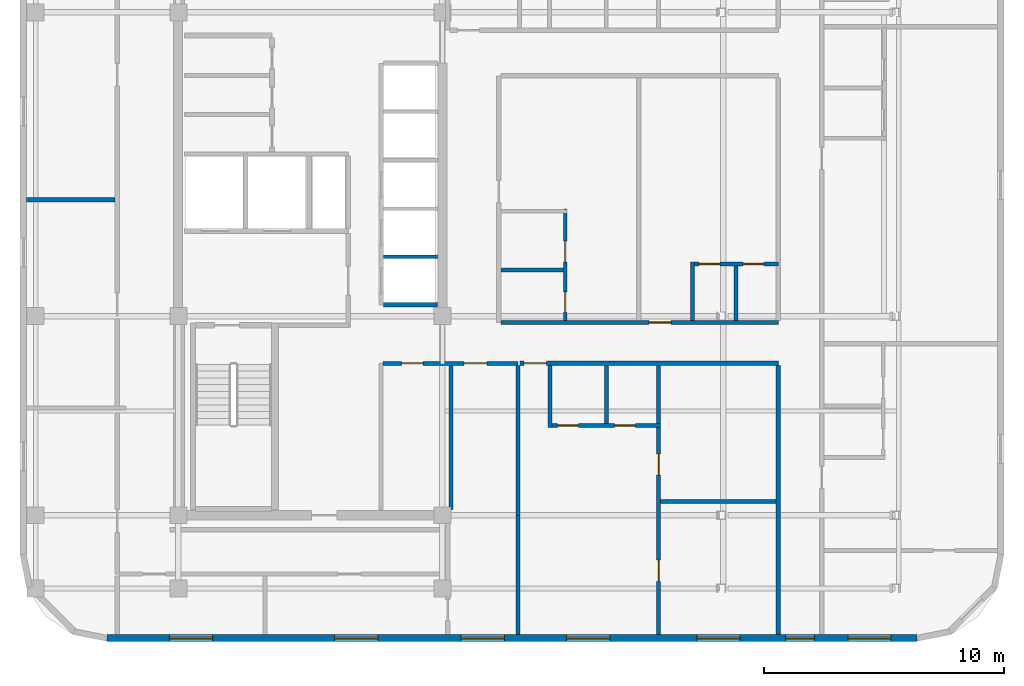
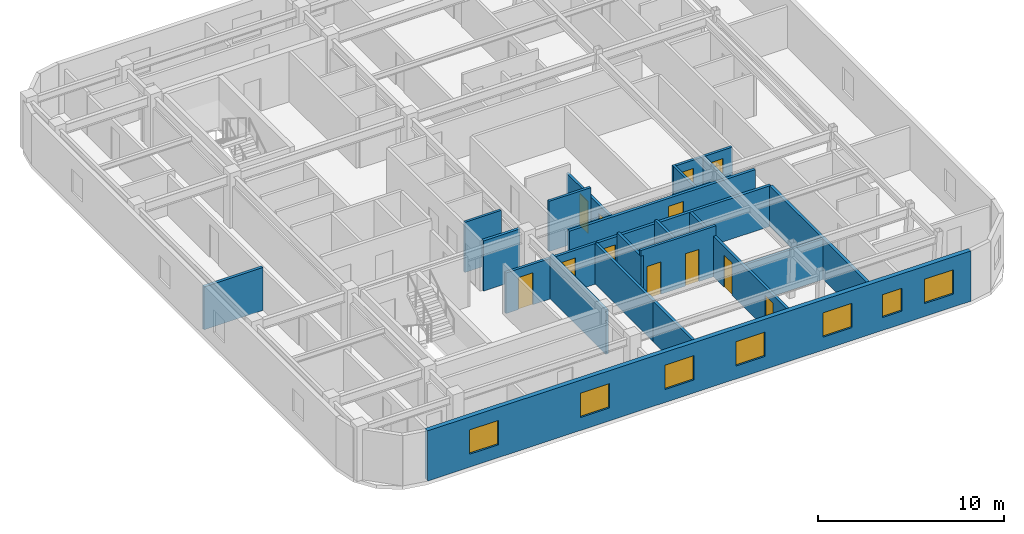
# One storey, part 3 of 8: 21 walls, 12 doors, 7 windows, 19 openings.
"""IFC4 building model written with IfcOpenShell, lengths in metres."""

import ifcopenshell
import ifcopenshell.guid

model = None  # the IFC model being written
_history = None  # IfcOwnerHistory: only IFC2X3 demands one
_inside = {}  # id of a spatial element -> (the spatial element, [elements in it])
_under = {}  # id of a project, library or spatial element -> (it, [spatial elements below it])
_declared = {}  # id of a project -> (the project, [libraries it declares])
_typed = {}  # id of a type object -> (the type object, [elements of that type])
_made_of = {}  # id of a material, layer set ... -> (it, [elements and type objects made of it])


def new_model(schema):
    """Start an empty IFC model of exactly this schema.

    Asked for "IFC4X3", IfcOpenShell would pick the latest addendum, in which some entities
    have other attributes; the version numbers below select the first issue.
    IFC2X3 requires an IfcOwnerHistory on every rooted entity: one is made here for all.
    """
    global model, _history
    if schema == "IFC4X3":
        model = ifcopenshell.file(schema_version=(4, 3, 0, 0))
    else:
        model = ifcopenshell.file(schema=schema)
    _inside.clear()
    _under.clear()
    _declared.clear()
    _typed.clear()
    _made_of.clear()
    _history = None
    if model.schema == "IFC2X3":
        org = make("IfcOrganization", Name="unknown")
        user = make(
            "IfcPersonAndOrganization",
            ThePerson=make("IfcPerson", FamilyName="unknown"),
            TheOrganization=org,
        )
        app = make(
            "IfcApplication",
            ApplicationDeveloper=org,
            Version="unknown",
            ApplicationFullName="unknown",
            ApplicationIdentifier="unknown",
        )
        _history = make(
            "IfcOwnerHistory",
            OwningUser=user,
            OwningApplication=app,
            ChangeAction="ADDED",
            CreationDate=0,
        )
    return model


def make(cls, **values):
    """One entity of the class cls with the attributes given. An attribute that is None is left unset."""
    return model.create_entity(
        cls, **{name: value for name, value in values.items() if value is not None}
    )


def rooted(cls, **values):
    """An entity with a GlobalId (a new one), such as an element, a storey or a relation."""
    return make(cls, GlobalId=ifcopenshell.guid.new(), OwnerHistory=_history, **values)


def si_unit(unit_type, name, prefix=None):
    """IfcSIUnit, for example si_unit("LENGTHUNIT", "METRE", prefix="MILLI")."""
    return make("IfcSIUnit", UnitType=unit_type, Prefix=prefix, Name=name)


def assignment(units):
    """IfcUnitAssignment: the units of a project."""
    return None if units is None else make("IfcUnitAssignment", Units=units)


def point(xyz):
    """IfcCartesianPoint."""
    return None if xyz is None else make("IfcCartesianPoint", Coordinates=xyz)


def direction(xyz):
    """IfcDirection."""
    return None if xyz is None else make("IfcDirection", DirectionRatios=xyz)


def frame(location, z_axis=None, x_axis=None):
    """IfcAxis2Placement3D, a coordinate frame: its origin and axes. An axis left out is left unset."""
    return make(
        "IfcAxis2Placement3D",
        Location=point(location),
        Axis=direction(z_axis),
        RefDirection=direction(x_axis),
    )


def frame_2d(location, x_axis=None):
    """IfcAxis2Placement2D, a coordinate frame in the plane: its origin and x axis."""
    return make(
        "IfcAxis2Placement2D", Location=point(location), RefDirection=direction(x_axis)
    )


def origin():
    """The frame at (0, 0, 0) with its axes left unset."""
    return frame((0.0, 0.0, 0.0))


def place(relative_to, where):
    """IfcLocalPlacement: puts the frame where relative to a parent placement (None: the world)."""
    return make(
        "IfcLocalPlacement", PlacementRelTo=relative_to, RelativePlacement=where
    )


def context(
    kind, dimensions, precision=None, world=None, true_north=None, identifier=None
):
    """IfcGeometricRepresentationContext, for example the 3D "Model" context."""
    return make(
        "IfcGeometricRepresentationContext",
        ContextIdentifier=identifier,
        ContextType=kind,
        CoordinateSpaceDimension=dimensions,
        Precision=precision,
        WorldCoordinateSystem=world,
        TrueNorth=true_north,
    )


def subcontext(parent, identifier, kind, view, scale=None):
    """IfcGeometricRepresentationSubContext, for example "Body" below "Model"."""
    return make(
        "IfcGeometricRepresentationSubContext",
        ContextIdentifier=identifier,
        ContextType=kind,
        ParentContext=parent,
        TargetScale=scale,
        TargetView=view,
    )


def project(units=None, contexts=None):
    """IfcProject with its units and contexts."""
    return rooted(
        "IfcProject",
        Name="project",
        RepresentationContexts=contexts,
        UnitsInContext=assignment(units),
    )


def spatial(cls, under=None, at=None, **own):
    """A site, building, storey or space (cls), placed at a placement, below another one or the project."""
    s = rooted(cls, ObjectPlacement=at, **own)
    if under is not None:
        _under.setdefault(under.id(), (under, []))[1].append(s)
    return s


def profile(cls, at=None, kind="AREA", **sizes):
    """A parametric profile (cls). Its sizes go by their IFC names, for example OverallWidth=200.0."""
    return make(cls, ProfileType=kind, Position=at, **sizes)


def rectangle(**sizes):
    """IfcRectangleProfileDef."""
    return profile("IfcRectangleProfileDef", **sizes)


def extrude(swept, where, along, depth):
    """IfcExtrudedAreaSolid: the profile swept, set in the frame where, extruded along a direction by depth."""
    return make(
        "IfcExtrudedAreaSolid",
        SweptArea=swept,
        Position=where,
        ExtrudedDirection=direction(along),
        Depth=depth,
    )


def shape(context_of_items, identifier, shape_type, items):
    """IfcShapeRepresentation: the items that make up one representation, for example the "Body"."""
    return make(
        "IfcShapeRepresentation",
        ContextOfItems=context_of_items,
        RepresentationIdentifier=identifier,
        RepresentationType=shape_type,
        Items=items,
    )


def material(Name=None, Category=None):
    """IfcMaterial."""
    return make("IfcMaterial", Name=Name, Category=Category)


def layer(
    of_material, thickness, ventilated=None, Name=None, Category=None, Priority=None
):
    """IfcMaterialLayer: one layer of a wall or slab, of a material (None: an air gap)."""
    return make(
        "IfcMaterialLayer",
        Material=of_material,
        LayerThickness=thickness,
        IsVentilated=ventilated,
        Name=Name,
        Category=Category,
        Priority=Priority,
    )


def layer_set(layers, Name=None):
    """IfcMaterialLayerSet."""
    return make("IfcMaterialLayerSet", MaterialLayers=layers, LayerSetName=Name)


def made_of(thing, what):
    """Note that an element or type object is made of a material, layer set ...; save() writes the relation."""
    if what is not None:
        _made_of.setdefault(what.id(), (what, []))[1].append(thing)
    return thing


def type_object(cls, material=None, **own):
    """A type object (cls), such as IfcWallType, which elements share."""
    return made_of(rooted(cls, **own), material)


def element(
    cls,
    number,
    at=None,
    inside=None,
    cuts=None,
    type_object=None,
    material=None,
    context=None,
    identifier="Body",
    shape_type=None,
    held_by="IfcProductDefinitionShape",
    body=None,
    shapes=None,
    **own,
):
    """One element of the class cls, such as IfcWall. Its Tag is "e" and its number.

    at: its placement. inside: the storey or other place that contains it. cuts: it is an
    opening in that element (IfcRelVoidsElement). A single representation is given by context,
    identifier, shape_type and body (its items); several are given by shapes. held_by: the class
    of the entity that holds the representations. save() writes the other relations.
    """
    e = rooted(cls, Tag="e%d" % number, ObjectPlacement=at, **own)
    if body is not None:
        shapes = [shape(context, identifier, shape_type, body)]
    if shapes is not None:
        e.Representation = make(held_by, Representations=shapes)
    if inside is not None:
        _inside.setdefault(inside.id(), (inside, []))[1].append(e)
    if cuts is not None:
        rooted(
            "IfcRelVoidsElement", RelatingBuildingElement=cuts, RelatedOpeningElement=e
        )
    if type_object is not None:
        _typed.setdefault(type_object.id(), (type_object, []))[1].append(e)
    return made_of(e, material)


def fill(opening, filler):
    """IfcRelFillsElement: the door or window that sits in an opening."""
    return rooted(
        "IfcRelFillsElement",
        RelatingOpeningElement=opening,
        RelatedBuildingElement=filler,
    )


def aggregate(whole, parts):
    """IfcRelAggregates: a whole, such as a stair, and the parts it consists of."""
    return rooted("IfcRelAggregates", RelatingObject=whole, RelatedObjects=parts)


def save(model, path):
    """Write the relations noted so far, then the file.

    IfcRelAggregates (storeys below a building ...), IfcRelContainedInSpatialStructure (elements
    in a storey), IfcRelDefinesByType, IfcRelAssociatesMaterial and IfcRelDeclares: one each for
    every whole, place, type object, material and project.
    """
    for whole, parts in _under.values():
        aggregate(whole, parts)
    for where, things in _inside.values():
        rooted(
            "IfcRelContainedInSpatialStructure",
            RelatedElements=things,
            RelatingStructure=where,
        )
    for kind, things in _typed.values():
        rooted("IfcRelDefinesByType", RelatedObjects=things, RelatingType=kind)
    for what, things in _made_of.values():
        rooted("IfcRelAssociatesMaterial", RelatedObjects=things, RelatingMaterial=what)
    for by, libraries in _declared.values():
        rooted("IfcRelDeclares", RelatingContext=by, RelatedDefinitions=libraries)
    model.write(path)


model = new_model("IFC4")

# Units and contexts
model_context = context("Model", 3, precision=1e-05, world=origin(), true_north=direction((0.0, 1.0)))
body_context = subcontext(model_context, "Body", "Model", "MODEL_VIEW")
ifc_project = project(units=[si_unit("LENGTHUNIT", "METRE"), si_unit("AREAUNIT", "SQUARE_METRE"), si_unit("VOLUMEUNIT", "CUBIC_METRE"), si_unit("PLANEANGLEUNIT", "RADIAN"), si_unit("MASSUNIT", "GRAM", prefix="KILO")], contexts=[model_context])

# Site, building, storey
site_placement = place(None, origin())
site = spatial("IfcSite", under=ifc_project, at=site_placement, CompositionType="ELEMENT")
building_placement = place(site_placement, origin())
building = spatial("IfcBuilding", under=site, at=building_placement, Name="Ochreholt Gables", CompositionType="ELEMENT")
storey_placement = place(building_placement, frame((0.0, 0.0, 196.199951171875)))
storey = spatial("IfcBuildingStorey", under=building, at=storey_placement, Name="L51", CompositionType="ELEMENT", Elevation=196.199951171875)

# Wall, openings, windows
ifc_material_1 = material(Name="Precast concrete 40 MPa", Category="concrete")
ifc_layer_1 = layer(ifc_material_1, 0.280029296875, Name="Precast concrete 40 MPa")
ifc_layer_set_1 = layer_set([ifc_layer_1], Name="Precast concrete 40 MPa")
wall_type_1 = type_object("IfcWallType", Name="WALL-EXT-280", PredefinedType="SOLIDWALL", material=ifc_layer_set_1)
wall_1_placement = place(storey_placement, frame((21.219970703125, 4.139892578125, 0.0), z_axis=(0.0, 0.0, 1.0), x_axis=(1.0, 0.0, 0.0)))
wall_1 = element("IfcWall", 1, at=wall_1_placement, inside=storey, type_object=wall_type_1, Name="L51 South Exterior Wall", PredefinedType="SOLIDWALL", context=body_context, shape_type="SweptSolid", body=[
    extrude(rectangle(XDim=33.760009765625, YDim=0.280029296875, at=frame_2d((16.8798828125, 0.0))), origin(), (0.0, 0.0, 1.0), 3.300048828125),
])
opening_1_placement = place(wall_1_placement, frame((2.60498046875, 0.0, 0.85009765625)))
opening_1 = element("IfcOpeningElement", 2, at=opening_1_placement, cuts=wall_1, Name="Opening WN-1", PredefinedType="OPENING", context=body_context, shape_type="SweptSolid", body=[
    extrude(rectangle(XDim=1.800048828125, YDim=1.60009765625, at=frame_2d((0.89990234375, 0.800048828125))), frame((0.0, 0.14990234375, 0.0), z_axis=(0.0, -1.0, 0.0), x_axis=(1.0, 0.0, 0.0)), (0.0, 0.0, 1.0), 0.300048828125),
])
opening_2_placement = place(wall_1_placement, frame((9.489990234375, 0.0, 0.85009765625)))
opening_2 = element("IfcOpeningElement", 3, at=opening_2_placement, cuts=wall_1, Name="Opening WN-1", PredefinedType="OPENING", context=body_context, shape_type="SweptSolid", body=[
    extrude(rectangle(XDim=1.800048828125, YDim=1.60009765625, at=frame_2d((0.89990234375, 0.800048828125))), frame((0.0, 0.14990234375, 0.0), z_axis=(0.0, -1.0, 0.0), x_axis=(1.0, 0.0, 0.0)), (0.0, 0.0, 1.0), 0.300048828125),
])
opening_3_placement = place(wall_1_placement, frame((14.764892578125, 0.0, 0.85009765625)))
opening_3 = element("IfcOpeningElement", 4, at=opening_3_placement, cuts=wall_1, Name="Opening WN-1", PredefinedType="OPENING", context=body_context, shape_type="SweptSolid", body=[
    extrude(rectangle(XDim=1.800048828125, YDim=1.60009765625, at=frame_2d((0.89990234375, 0.800048828125))), frame((0.0, 0.14990234375, 0.0), z_axis=(0.0, -1.0, 0.0), x_axis=(1.0, 0.0, 0.0)), (0.0, 0.0, 1.0), 0.300048828125),
])
opening_4_placement = place(wall_1_placement, frame((19.159912109375, 0.0, 0.85009765625)))
opening_4 = element("IfcOpeningElement", 5, at=opening_4_placement, cuts=wall_1, Name="Opening WN-1", PredefinedType="OPENING", context=body_context, shape_type="SweptSolid", body=[
    extrude(rectangle(XDim=1.800048828125, YDim=1.60009765625, at=frame_2d((0.89990234375, 0.800048828125))), frame((0.0, 0.14990234375, 0.0), z_axis=(0.0, -1.0, 0.0), x_axis=(1.0, 0.0, 0.0)), (0.0, 0.0, 1.0), 0.300048828125),
])
opening_5_placement = place(wall_1_placement, frame((24.5849609375, 0.0, 0.85009765625)))
opening_5 = element("IfcOpeningElement", 6, at=opening_5_placement, cuts=wall_1, Name="Opening WN-1", PredefinedType="OPENING", context=body_context, shape_type="SweptSolid", body=[
    extrude(rectangle(XDim=1.800048828125, YDim=1.60009765625, at=frame_2d((0.89990234375, 0.800048828125))), frame((0.0, 0.14990234375, 0.0), z_axis=(0.0, -1.0, 0.0), x_axis=(1.0, 0.0, 0.0)), (0.0, 0.0, 1.0), 0.300048828125),
])
opening_6_placement = place(wall_1_placement, frame((28.280029296875, 0.0, 0.85009765625)))
opening_6 = element("IfcOpeningElement", 7, at=opening_6_placement, cuts=wall_1, Name="Opening WN-3", PredefinedType="OPENING", context=body_context, shape_type="SweptSolid", body=[
    extrude(rectangle(XDim=1.199951171875, YDim=1.5, at=frame_2d((0.60009765625, 0.75))), frame((0.0, 0.14990234375, 0.0), z_axis=(0.0, -1.0, 0.0), x_axis=(1.0, 0.0, 0.0)), (0.0, 0.0, 1.0), 0.300048828125),
])
opening_7_placement = place(wall_1_placement, frame((30.8701171875, 0.0, 0.85009765625)))
opening_7 = element("IfcOpeningElement", 8, at=opening_7_placement, cuts=wall_1, Name="Opening WN-1", PredefinedType="OPENING", context=body_context, shape_type="SweptSolid", body=[
    extrude(rectangle(XDim=1.800048828125, YDim=1.60009765625, at=frame_2d((0.89990234375, 0.800048828125))), frame((0.0, 0.14990234375, 0.0), z_axis=(0.0, -1.0, 0.0), x_axis=(1.0, 0.0, 0.0)), (0.0, 0.0, 1.0), 0.300048828125),
])
ifc_material_2 = material(Name="Triple-Glazed Thermally Broken Aluminium Window", Category="aluminium")
window_type_1 = type_object("IfcWindowType", Name="WIN-RES-1200", PartitioningType="SINGLE_PANEL", PredefinedType="WINDOW", material=ifc_material_2)
window_1_placement = place(opening_6_placement, origin())
window_1 = element("IfcWindow", 9, at=window_1_placement, inside=storey, type_object=window_type_1, Name="L51 Window W-EXT-S-L51-6", OverallHeight=1.5, OverallWidth=1.199951171875, PartitioningType="SINGLE_PANEL", PredefinedType="WINDOW", context=body_context, shape_type="SweptSolid", body=[
    extrude(rectangle(XDim=1.199951171875, YDim=1.5, at=frame_2d((0.60009765625, 0.75))), frame((0.0, 0.030029296875, 0.0), z_axis=(0.0, -1.0, 0.0), x_axis=(1.0, 0.0, 0.0)), (0.0, 0.0, 1.0), 0.06005859375),
])
fill(opening_6, window_1)
window_type_2 = type_object("IfcWindowType", Name="WIN-RES-1800", PartitioningType="SINGLE_PANEL", PredefinedType="WINDOW", material=ifc_material_2)
window_2_placement = place(opening_1_placement, origin())
window_2 = element("IfcWindow", 10, at=window_2_placement, inside=storey, type_object=window_type_2, Name="L51 Window W-EXT-S-L51-1", OverallHeight=1.60009765625, OverallWidth=1.800048828125, PartitioningType="SINGLE_PANEL", PredefinedType="WINDOW", context=body_context, shape_type="SweptSolid", body=[
    extrude(rectangle(XDim=1.800048828125, YDim=1.60009765625, at=frame_2d((0.89990234375, 0.800048828125))), frame((0.0, 0.030029296875, 0.0), z_axis=(0.0, -1.0, 0.0), x_axis=(1.0, 0.0, 0.0)), (0.0, 0.0, 1.0), 0.06005859375),
])
fill(opening_1, window_2)
window_3_placement = place(opening_2_placement, origin())
window_3 = element("IfcWindow", 11, at=window_3_placement, inside=storey, type_object=window_type_2, Name="L51 Window W-EXT-S-L51-2", OverallHeight=1.60009765625, OverallWidth=1.800048828125, PartitioningType="SINGLE_PANEL", PredefinedType="WINDOW", context=body_context, shape_type="SweptSolid", body=[
    extrude(rectangle(XDim=1.800048828125, YDim=1.60009765625, at=frame_2d((0.89990234375, 0.800048828125))), frame((0.0, 0.030029296875, 0.0), z_axis=(0.0, -1.0, 0.0), x_axis=(1.0, 0.0, 0.0)), (0.0, 0.0, 1.0), 0.06005859375),
])
fill(opening_2, window_3)
window_4_placement = place(opening_3_placement, origin())
window_4 = element("IfcWindow", 12, at=window_4_placement, inside=storey, type_object=window_type_2, Name="L51 Window W-EXT-S-L51-3", OverallHeight=1.60009765625, OverallWidth=1.800048828125, PartitioningType="SINGLE_PANEL", PredefinedType="WINDOW", context=body_context, shape_type="SweptSolid", body=[
    extrude(rectangle(XDim=1.800048828125, YDim=1.60009765625, at=frame_2d((0.89990234375, 0.800048828125))), frame((0.0, 0.030029296875, 0.0), z_axis=(0.0, -1.0, 0.0), x_axis=(1.0, 0.0, 0.0)), (0.0, 0.0, 1.0), 0.06005859375),
])
fill(opening_3, window_4)
window_5_placement = place(opening_4_placement, origin())
window_5 = element("IfcWindow", 13, at=window_5_placement, inside=storey, type_object=window_type_2, Name="L51 Window W-EXT-S-L51-4", OverallHeight=1.60009765625, OverallWidth=1.800048828125, PartitioningType="SINGLE_PANEL", PredefinedType="WINDOW", context=body_context, shape_type="SweptSolid", body=[
    extrude(rectangle(XDim=1.800048828125, YDim=1.60009765625, at=frame_2d((0.89990234375, 0.800048828125))), frame((0.0, 0.030029296875, 0.0), z_axis=(0.0, -1.0, 0.0), x_axis=(1.0, 0.0, 0.0)), (0.0, 0.0, 1.0), 0.06005859375),
])
fill(opening_4, window_5)
window_6_placement = place(opening_5_placement, origin())
window_6 = element("IfcWindow", 14, at=window_6_placement, inside=storey, type_object=window_type_2, Name="L51 Window W-EXT-S-L51-5", OverallHeight=1.60009765625, OverallWidth=1.800048828125, PartitioningType="SINGLE_PANEL", PredefinedType="WINDOW", context=body_context, shape_type="SweptSolid", body=[
    extrude(rectangle(XDim=1.800048828125, YDim=1.60009765625, at=frame_2d((0.89990234375, 0.800048828125))), frame((0.0, 0.030029296875, 0.0), z_axis=(0.0, -1.0, 0.0), x_axis=(1.0, 0.0, 0.0)), (0.0, 0.0, 1.0), 0.06005859375),
])
fill(opening_5, window_6)
window_7_placement = place(opening_7_placement, origin())
window_7 = element("IfcWindow", 15, at=window_7_placement, inside=storey, type_object=window_type_2, Name="L51 Window W-EXT-S-L51-7", OverallHeight=1.60009765625, OverallWidth=1.800048828125, PartitioningType="SINGLE_PANEL", PredefinedType="WINDOW", context=body_context, shape_type="SweptSolid", body=[
    extrude(rectangle(XDim=1.800048828125, YDim=1.60009765625, at=frame_2d((0.89990234375, 0.800048828125))), frame((0.0, 0.030029296875, 0.0), z_axis=(0.0, -1.0, 0.0), x_axis=(1.0, 0.0, 0.0)), (0.0, 0.0, 1.0), 0.06005859375),
])
fill(opening_7, window_7)

# Wall, opening, door
ifc_material_3 = material(Name="Fire-Rated Gypsum Acoustic Partition", Category="gypsum")
ifc_layer_2 = layer(ifc_material_3, 0.179931640625, Name="Fire-Rated Gypsum Acoustic Partition")
ifc_layer_set_2 = layer_set([ifc_layer_2], Name="Fire-Rated Gypsum Acoustic Partition")
wall_type_2 = type_object("IfcWallType", Name="WALL-INT-CR180", PredefinedType="STANDARD", material=ifc_layer_set_2)
wall_2_placement = place(storey_placement, frame((38.4326171875, 15.580078125, 0.0), z_axis=(0.0, 0.0, 1.0), x_axis=(1.0, 0.0, 0.0)))
wall_2 = element("IfcWall", 16, at=wall_2_placement, inside=storey, type_object=wall_type_2, Name="L51 Interior Wall WI-C2SS1-L51", PredefinedType="STANDARD", context=body_context, shape_type="SweptSolid", body=[
    extrude(rectangle(XDim=10.767333984375, YDim=0.179931640625, at=frame_2d((5.3837890625, 0.0))), origin(), (0.0, 0.0, 1.0), 2.670166015625),
])
opening_8_placement = place(wall_2_placement, frame((0.177490234375, 0.0, 0.0)))
opening_8 = element("IfcOpeningElement", 17, at=opening_8_placement, cuts=wall_2, Name="Opening D-UN1", PredefinedType="OPENING", context=body_context, shape_type="SweptSolid", body=[
    extrude(rectangle(XDim=0.919921875, YDim=2.14990234375, at=frame_2d((0.4599609375, 1.074951171875))), frame((0.0, 0.099853515625, 0.0), z_axis=(0.0, -1.0, 0.0), x_axis=(1.0, 0.0, 0.0)), (0.0, 0.0, 1.0), 0.199951171875),
])
ifc_material_4 = material(Name="Engineered Oak Timber", Category="wood")
door_type_1 = type_object("IfcDoorType", Name="DR-INT-UNT920", OperationType="NOTDEFINED", PredefinedType="DOOR", material=ifc_material_4)
door_1_placement = place(opening_8_placement, origin())
door_1 = element("IfcDoor", 18, at=door_1_placement, inside=storey, type_object=door_type_1, Name="L51 Door D-U-L51S1-ENT", OperationType="SINGLE_SWING_RIGHT", OverallHeight=2.14990234375, OverallWidth=0.919921875, PredefinedType="DOOR", context=body_context, shape_type="SweptSolid", body=[
    extrude(rectangle(XDim=0.919921875, YDim=2.14990234375, at=frame_2d((0.4599609375, 1.074951171875))), frame((0.0, 0.02490234375, 0.0), z_axis=(0.0, -1.0, 0.0), x_axis=(1.0, 0.0, 0.0)), (0.0, 0.0, 1.0), 0.050048828125),
])
fill(opening_8, door_1)

wall_3_placement = place(storey_placement, frame((37.639892578125, 17.280029296875, 0.0), z_axis=(0.0, 0.0, 1.0), x_axis=(1.0, 0.0, 0.0)))
wall_3 = element("IfcWall", 19, at=wall_3_placement, inside=storey, type_object=wall_type_2, Name="L51 Interior Wall WI-C2SS2-L51", PredefinedType="STANDARD", context=body_context, shape_type="SweptSolid", body=[
    extrude(rectangle(XDim=11.56005859375, YDim=0.179931640625, at=frame_2d((5.780029296875, 0.0))), origin(), (0.0, 0.0, 1.0), 2.670166015625),
])
opening_9_placement = place(wall_3_placement, frame((6.175048828125, 0.0, 0.0)))
opening_9 = element("IfcOpeningElement", 20, at=opening_9_placement, cuts=wall_3, Name="Opening D-UN1", PredefinedType="OPENING", context=body_context, shape_type="SweptSolid", body=[
    extrude(rectangle(XDim=0.919921875, YDim=2.14990234375, at=frame_2d((0.4599609375, 1.074951171875))), frame((0.0, 0.099853515625, 0.0), z_axis=(0.0, -1.0, 0.0), x_axis=(1.0, 0.0, 0.0)), (0.0, 0.0, 1.0), 0.199951171875),
])
door_2_placement = place(opening_9_placement, origin())
door_2 = element("IfcDoor", 21, at=door_2_placement, inside=storey, type_object=door_type_1, Name="L51 Door D-U-L51M2-ENT", OperationType="SINGLE_SWING_LEFT", OverallHeight=2.14990234375, OverallWidth=0.919921875, PredefinedType="DOOR", context=body_context, shape_type="SweptSolid", body=[
    extrude(rectangle(XDim=0.919921875, YDim=2.14990234375, at=frame_2d((0.4599609375, 1.074951171875))), frame((0.0, 0.02490234375, 0.0), z_axis=(0.0, -1.0, 0.0), x_axis=(1.0, 0.0, 0.0)), (0.0, 0.0, 1.0), 0.050048828125),
])
fill(opening_9, door_2)

# Walls
wall_4_placement = place(storey_placement, frame((49.199951171875, 4.280029296875, 0.0), z_axis=(0.0, 0.0, 1.0), x_axis=(0.0, 1.0, 0.0)))
element("IfcWall", 22, at=wall_4_placement, inside=storey, type_object=wall_type_2, Name="L51 Interior Wall WI-C2FEGW1-L51", PredefinedType="STANDARD", context=body_context, shape_type="SweptSolid", body=[
    extrude(rectangle(XDim=11.2099609375, YDim=0.179931640625, at=frame_2d((5.60498046875, 0.0))), origin(), (0.0, 0.0, 1.0), 2.670166015625),
])
ifc_material_5 = material(Name="Double-Stud Acoustic Demising Wall", Category="gypsum")
ifc_layer_3 = layer(ifc_material_5, 0.179931640625, Name="Double-Stud Acoustic Demising Wall")
ifc_layer_set_3 = layer_set([ifc_layer_3], Name="Double-Stud Acoustic Demising Wall")
wall_type_3 = type_object("IfcWallType", Name="WALL-INT-DM180", PredefinedType="PARTITIONING", material=ifc_layer_set_3)
wall_5_placement = place(storey_placement, frame((38.35009765625, 4.280029296875, 0.0), z_axis=(0.0, 0.0, 1.0), x_axis=(0.0, 1.0, 0.0)))
element("IfcWall", 23, at=wall_5_placement, inside=storey, type_object=wall_type_3, Name="L51 Interior Wall WI-C2SEW2-L51", PredefinedType="PARTITIONING", context=body_context, shape_type="SweptSolid", body=[
    extrude(rectangle(XDim=4.969970703125, YDim=0.179931640625, at=frame_2d((2.48486328125, 0.0))), origin(), (0.0, 0.0, 1.0), 2.670166015625),
])
wall_6_placement = place(storey_placement, frame((17.8798828125, 22.39990234375, 0.0), z_axis=(0.0, 0.0, 1.0), x_axis=(1.0, 0.0, 0.0)))
element("IfcWall", 24, at=wall_6_placement, inside=storey, type_object=wall_type_3, Name="L51 Interior Wall WI-C2UDW2-L51", PredefinedType="PARTITIONING", context=body_context, shape_type="SweptSolid", body=[
    extrude(rectangle(XDim=3.68017578125, YDim=0.179931640625, at=frame_2d((1.840087890625, 0.0))), origin(), (0.0, 0.0, 1.0), 2.819091796875),
])

# Wall, openings, doors
ifc_material_6 = material(Name="Moisture-Resistant Plumbing Chase Wall", Category="gypsum")
ifc_layer_4 = layer(ifc_material_6, 0.159912109375, Name="Moisture-Resistant Plumbing Chase Wall")
ifc_layer_set_4 = layer_set([ifc_layer_4], Name="Moisture-Resistant Plumbing Chase Wall")
wall_type_4 = type_object("IfcWallType", Name="WALL-INT-PL160", PredefinedType="PLUMBINGWALL", material=ifc_layer_set_4)
wall_7_placement = place(storey_placement, frame((39.610107421875, 12.992431640625, 0.0), z_axis=(0.0, 0.0, 1.0), x_axis=(1.0, 0.0, 0.0)))
wall_7 = element("IfcWall", 25, at=wall_7_placement, inside=storey, type_object=wall_type_4, Name="L51 Interior Wall WU-L51S1-WY", PredefinedType="PLUMBINGWALL", context=body_context, shape_type="SweptSolid", body=[
    extrude(rectangle(XDim=4.679931640625, YDim=0.159912109375, at=frame_2d((2.33984375, 0.0))), origin(), (0.0, 0.0, 1.0), 3.300048828125),
])
opening_10_placement = place(wall_7_placement, frame((0.3798828125, 0.0, 0.0)))
opening_10 = element("IfcOpeningElement", 26, at=opening_10_placement, cuts=wall_7, Name="Opening D-GN2", PredefinedType="OPENING", context=body_context, shape_type="SweptSolid", body=[
    extrude(rectangle(XDim=0.8798828125, YDim=2.1201171875, at=frame_2d((0.43994140625, 1.06005859375))), frame((0.0, 0.08984375, 0.0), z_axis=(0.0, -1.0, 0.0), x_axis=(1.0, 0.0, 0.0)), (0.0, 0.0, 1.0), 0.179931640625),
])
opening_11_placement = place(wall_7_placement, frame((2.7705078125, 0.0, 0.0)))
opening_11 = element("IfcOpeningElement", 27, at=opening_11_placement, cuts=wall_7, Name="Opening D-BT1", PredefinedType="OPENING", context=body_context, shape_type="SweptSolid", body=[
    extrude(rectangle(XDim=0.860107421875, YDim=2.1201171875, at=frame_2d((0.43017578125, 1.06005859375))), frame((0.0, 0.08984375, 0.0), z_axis=(0.0, -1.0, 0.0), x_axis=(1.0, 0.0, 0.0)), (0.0, 0.0, 1.0), 0.179931640625),
])
door_type_2 = type_object("IfcDoorType", Name="DR-INT-BTH860", OperationType="NOTDEFINED", PredefinedType="DOOR", material=ifc_material_4)
door_3_placement = place(opening_11_placement, origin())
door_3 = element("IfcDoor", 28, at=door_3_placement, inside=storey, type_object=door_type_2, Name="L51 Door D-U-L51S1-BTH", OperationType="SINGLE_SWING_RIGHT", OverallHeight=2.1201171875, OverallWidth=0.860107421875, PredefinedType="DOOR", context=body_context, shape_type="SweptSolid", body=[
    extrude(rectangle(XDim=0.860107421875, YDim=2.1201171875, at=frame_2d((0.43017578125, 1.06005859375))), frame((0.0, 0.02490234375, 0.0), z_axis=(0.0, -1.0, 0.0), x_axis=(1.0, 0.0, 0.0)), (0.0, 0.0, 1.0), 0.050048828125),
])
fill(opening_11, door_3)
door_type_3 = type_object("IfcDoorType", Name="DR-INT-GEN880", OperationType="NOTDEFINED", PredefinedType="DOOR", material=ifc_material_4)
door_4_placement = place(opening_10_placement, origin())
door_4 = element("IfcDoor", 29, at=door_4_placement, inside=storey, type_object=door_type_3, Name="L51 Door D-U-L51S1-KIT", OperationType="SINGLE_SWING_LEFT", OverallHeight=2.1201171875, OverallWidth=0.8798828125, PredefinedType="DOOR", context=body_context, shape_type="SweptSolid", body=[
    extrude(rectangle(XDim=0.8798828125, YDim=2.1201171875, at=frame_2d((0.43994140625, 1.06005859375))), frame((0.0, 0.02490234375, 0.0), z_axis=(0.0, -1.0, 0.0), x_axis=(1.0, 0.0, 0.0)), (0.0, 0.0, 1.0), 0.050048828125),
])
fill(opening_10, door_4)

# Walls
wall_8_placement = place(storey_placement, frame((39.68994140625, 12.91259765625, 0.0), z_axis=(0.0, 0.0, 1.0), x_axis=(0.0, 1.0, 0.0)))
element("IfcWall", 30, at=wall_8_placement, inside=storey, type_object=wall_type_4, Name="L51 Interior Wall WU-L51S1-FY", PredefinedType="PLUMBINGWALL", context=body_context, shape_type="SweptSolid", body=[
    extrude(rectangle(XDim=2.577392578125, YDim=0.159912109375, at=frame_2d((1.28857421875, 0.0))), origin(), (0.0, 0.0, 1.0), 2.924072265625),
])
wall_9_placement = place(storey_placement, frame((42.040283203125, 13.072509765625, 0.0), z_axis=(0.0, 0.0, 1.0), x_axis=(0.0, 1.0, 0.0)))
element("IfcWall", 31, at=wall_9_placement, inside=storey, type_object=wall_type_4, Name="L51 Interior Wall WU-L51S1-WK", PredefinedType="PLUMBINGWALL", context=body_context, shape_type="SweptSolid", body=[
    extrude(rectangle(XDim=2.41748046875, YDim=0.159912109375, at=frame_2d((1.208740234375, 0.0))), origin(), (0.0, 0.0, 1.0), 2.924072265625),
])

# Wall, openings, doors
wall_10_placement = place(storey_placement, frame((40.318115234375, 17.3701171875, 0.0), z_axis=(0.0, 0.0, 1.0), x_axis=(0.0, 1.0, 0.0)))
wall_10 = element("IfcWall", 32, at=wall_10_placement, inside=storey, type_object=wall_type_4, Name="L51 Interior Wall WU-L51M1-WX", PredefinedType="PLUMBINGWALL", context=body_context, shape_type="SweptSolid", body=[
    extrude(rectangle(XDim=4.639892578125, YDim=0.159912109375, at=frame_2d((2.31982421875, 0.0))), origin(), (0.0, 0.0, 1.0), 2.670166015625),
])
opening_12_placement = place(wall_10_placement, frame((0.330078125, 0.0, 0.0)))
opening_12 = element("IfcOpeningElement", 33, at=opening_12_placement, cuts=wall_10, Name="Opening D-BT1", PredefinedType="OPENING", context=body_context, shape_type="SweptSolid", body=[
    extrude(rectangle(XDim=0.860107421875, YDim=2.1201171875, at=frame_2d((0.43017578125, 1.06005859375))), frame((0.0, 0.08984375, 0.0), z_axis=(0.0, -1.0, 0.0), x_axis=(1.0, 0.0, 0.0)), (0.0, 0.0, 1.0), 0.179931640625),
])
opening_13_placement = place(wall_10_placement, frame((2.423095703125, 0.0, 0.0)))
opening_13 = element("IfcOpeningElement", 34, at=opening_13_placement, cuts=wall_10, Name="Opening D-GN2", PredefinedType="OPENING", context=body_context, shape_type="SweptSolid", body=[
    extrude(rectangle(XDim=0.8798828125, YDim=2.1201171875, at=frame_2d((0.43994140625, 1.06005859375))), frame((0.0, 0.08984375, 0.0), z_axis=(0.0, -1.0, 0.0), x_axis=(1.0, 0.0, 0.0)), (0.0, 0.0, 1.0), 0.179931640625),
])
door_5_placement = place(opening_12_placement, origin())
door_5 = element("IfcDoor", 35, at=door_5_placement, inside=storey, type_object=door_type_2, Name="L51 Door D-U-L51M1-BTH", OperationType="SINGLE_SWING_LEFT", OverallHeight=2.1201171875, OverallWidth=0.860107421875, PredefinedType="DOOR", context=body_context, shape_type="SweptSolid", body=[
    extrude(rectangle(XDim=0.860107421875, YDim=2.1201171875, at=frame_2d((0.43017578125, 1.06005859375))), frame((0.0, 0.02490234375, 0.0), z_axis=(0.0, -1.0, 0.0), x_axis=(1.0, 0.0, 0.0)), (0.0, 0.0, 1.0), 0.050048828125),
])
fill(opening_12, door_5)
door_6_placement = place(opening_13_placement, origin())
door_6 = element("IfcDoor", 36, at=door_6_placement, inside=storey, type_object=door_type_3, Name="L51 Door D-U-L51M1-KIT", OperationType="SINGLE_SWING_RIGHT", OverallHeight=2.1201171875, OverallWidth=0.8798828125, PredefinedType="DOOR", context=body_context, shape_type="SweptSolid", body=[
    extrude(rectangle(XDim=0.8798828125, YDim=2.1201171875, at=frame_2d((0.43994140625, 1.06005859375))), frame((0.0, 0.02490234375, 0.0), z_axis=(0.0, -1.0, 0.0), x_axis=(1.0, 0.0, 0.0)), (0.0, 0.0, 1.0), 0.050048828125),
])
fill(opening_13, door_6)

# Wall
wall_11_placement = place(storey_placement, frame((37.639892578125, 19.462890625, 0.0), z_axis=(0.0, 0.0, 1.0), x_axis=(1.0, 0.0, 0.0)))
element("IfcWall", 37, at=wall_11_placement, inside=storey, type_object=wall_type_4, Name="L51 Interior Wall WU-L51M1-WM", PredefinedType="PLUMBINGWALL", context=body_context, shape_type="SweptSolid", body=[
    extrude(rectangle(XDim=2.59814453125, YDim=0.159912109375, at=frame_2d((1.299072265625, 0.0))), origin(), (0.0, 0.0, 1.0), 3.300048828125),
])

# Wall, openings, doors
wall_12_placement = place(storey_placement, frame((45.534912109375, 19.719970703125, 0.0), z_axis=(0.0, 0.0, 1.0), x_axis=(1.0, 0.0, 0.0)))
wall_12 = element("IfcWall", 38, at=wall_12_placement, inside=storey, type_object=wall_type_4, Name="L51 Interior Wall WU-L51M2-WY", PredefinedType="PLUMBINGWALL", context=body_context, shape_type="SweptSolid", body=[
    extrude(rectangle(XDim=3.6650390625, YDim=0.159912109375, at=frame_2d((1.83251953125, 0.0))), origin(), (0.0, 0.0, 1.0), 2.670166015625),
])
opening_14_placement = place(wall_12_placement, frame((0.35009765625, 0.0, 0.0)))
opening_14 = element("IfcOpeningElement", 39, at=opening_14_placement, cuts=wall_12, Name="Opening D-GN2", PredefinedType="OPENING", context=body_context, shape_type="SweptSolid", body=[
    extrude(rectangle(XDim=0.8798828125, YDim=2.1201171875, at=frame_2d((0.43994140625, 1.06005859375))), frame((0.0, 0.08984375, 0.0), z_axis=(0.0, -1.0, 0.0), x_axis=(1.0, 0.0, 0.0)), (0.0, 0.0, 1.0), 0.179931640625),
])
opening_15_placement = place(wall_12_placement, frame((2.197509765625, 0.0, 0.0)))
opening_15 = element("IfcOpeningElement", 40, at=opening_15_placement, cuts=wall_12, Name="Opening D-BT1", PredefinedType="OPENING", context=body_context, shape_type="SweptSolid", body=[
    extrude(rectangle(XDim=0.860107421875, YDim=2.1201171875, at=frame_2d((0.43017578125, 1.06005859375))), frame((0.0, 0.08984375, 0.0), z_axis=(0.0, -1.0, 0.0), x_axis=(1.0, 0.0, 0.0)), (0.0, 0.0, 1.0), 0.179931640625),
])
door_7_placement = place(opening_15_placement, origin())
door_7 = element("IfcDoor", 41, at=door_7_placement, inside=storey, type_object=door_type_2, Name="L51 Door D-U-L51M2-BTH", OperationType="SINGLE_SWING_LEFT", OverallHeight=2.1201171875, OverallWidth=0.860107421875, PredefinedType="DOOR", context=body_context, shape_type="SweptSolid", body=[
    extrude(rectangle(XDim=0.860107421875, YDim=2.1201171875, at=frame_2d((0.43017578125, 1.06005859375))), frame((0.0, 0.02490234375, 0.0), z_axis=(0.0, -1.0, 0.0), x_axis=(1.0, 0.0, 0.0)), (0.0, 0.0, 1.0), 0.050048828125),
])
fill(opening_15, door_7)
door_8_placement = place(opening_14_placement, origin())
door_8 = element("IfcDoor", 42, at=door_8_placement, inside=storey, type_object=door_type_3, Name="L51 Door D-U-L51M2-KIT", OperationType="SINGLE_SWING_RIGHT", OverallHeight=2.1201171875, OverallWidth=0.8798828125, PredefinedType="DOOR", context=body_context, shape_type="SweptSolid", body=[
    extrude(rectangle(XDim=0.8798828125, YDim=2.1201171875, at=frame_2d((0.43994140625, 1.06005859375))), frame((0.0, 0.02490234375, 0.0), z_axis=(0.0, -1.0, 0.0), x_axis=(1.0, 0.0, 0.0)), (0.0, 0.0, 1.0), 0.050048828125),
])
fill(opening_14, door_8)

# Walls
wall_13_placement = place(storey_placement, frame((45.614990234375, 17.3701171875, 0.0), z_axis=(0.0, 0.0, 1.0), x_axis=(0.0, 1.0, 0.0)))
element("IfcWall", 43, at=wall_13_placement, inside=storey, type_object=wall_type_4, Name="L51 Interior Wall WU-L51M2-FY", PredefinedType="PLUMBINGWALL", context=body_context, shape_type="SweptSolid", body=[
    extrude(rectangle(XDim=2.429931640625, YDim=0.159912109375, at=frame_2d((1.21484375, 0.0))), origin(), (0.0, 0.0, 1.0), 2.670166015625),
])
wall_14_placement = place(storey_placement, frame((47.432373046875, 17.3701171875, 0.0), z_axis=(0.0, 0.0, 1.0), x_axis=(0.0, 1.0, 0.0)))
element("IfcWall", 44, at=wall_14_placement, inside=storey, type_object=wall_type_4, Name="L51 Interior Wall WU-L51M2-WK", PredefinedType="PLUMBINGWALL", context=body_context, shape_type="SweptSolid", body=[
    extrude(rectangle(XDim=2.269775390625, YDim=0.159912109375, at=frame_2d((1.134765625, 0.0))), origin(), (0.0, 0.0, 1.0), 2.670166015625),
])

# Wall, openings, doors
ifc_material_7 = material(Name="Gypsum Acoustic Stud Partition", Category="gypsum")
ifc_layer_5 = layer(ifc_material_7, 0.1650390625, Name="Gypsum Acoustic Stud Partition")
ifc_layer_set_5 = layer_set([ifc_layer_5], Name="Gypsum Acoustic Stud Partition")
wall_type_5 = type_object("IfcWallType", Name="WALL-INT-PT165", PredefinedType="PARTITIONING", material=ifc_layer_set_5)
wall_15_placement = place(storey_placement, frame((32.732421875, 15.580078125, 0.0), z_axis=(0.0, 0.0, 1.0), x_axis=(1.0, 0.0, 0.0)))
wall_15 = element("IfcWall", 45, at=wall_15_placement, inside=storey, type_object=wall_type_5, Name="L51 Interior Wall WI-RCL-N-L51", PredefinedType="PARTITIONING", context=body_context, shape_type="SweptSolid", body=[
    extrude(rectangle(XDim=5.61767578125, YDim=0.1650390625, at=frame_2d((2.808837890625, 0.0))), origin(), (0.0, 0.0, 1.0), 2.670166015625),
])
opening_16_placement = place(wall_15_placement, frame((0.767578125, 0.0, 0.0)))
opening_16 = element("IfcOpeningElement", 46, at=opening_16_placement, cuts=wall_15, Name="Opening D-SV1", PredefinedType="OPENING", context=body_context, shape_type="SweptSolid", body=[
    extrude(rectangle(XDim=0.89990234375, YDim=2.10009765625, at=frame_2d((0.449951171875, 1.050048828125))), frame((0.0, 0.092529296875, 0.0), z_axis=(0.0, -1.0, 0.0), x_axis=(1.0, 0.0, 0.0)), (0.0, 0.0, 1.0), 0.18505859375),
])
opening_17_placement = place(wall_15_placement, frame((3.367431640625, 0.0, 0.0)))
opening_17 = element("IfcOpeningElement", 47, at=opening_17_placement, cuts=wall_15, Name="Opening D-GN1", PredefinedType="OPENING", context=body_context, shape_type="SweptSolid", body=[
    extrude(rectangle(XDim=0.949951171875, YDim=2.14990234375, at=frame_2d((0.47509765625, 1.074951171875))), frame((0.0, 0.092529296875, 0.0), z_axis=(0.0, -1.0, 0.0), x_axis=(1.0, 0.0, 0.0)), (0.0, 0.0, 1.0), 0.18505859375),
])
door_type_4 = type_object("IfcDoorType", Name="DR-INT-GEN950", OperationType="NOTDEFINED", PredefinedType="DOOR", material=ifc_material_4)
door_9_placement = place(opening_17_placement, origin())
door_9 = element("IfcDoor", 48, at=door_9_placement, inside=storey, type_object=door_type_4, Name="L51 Door D-RCL2-L51", OperationType="SINGLE_SWING_RIGHT", OverallHeight=2.14990234375, OverallWidth=0.949951171875, PredefinedType="DOOR", context=body_context, shape_type="SweptSolid", body=[
    extrude(rectangle(XDim=0.949951171875, YDim=2.14990234375, at=frame_2d((0.47509765625, 1.074951171875))), frame((0.0, 0.02490234375, 0.0), z_axis=(0.0, -1.0, 0.0), x_axis=(1.0, 0.0, 0.0)), (0.0, 0.0, 1.0), 0.050048828125),
])
fill(opening_17, door_9)
ifc_material_8 = material(Name="Hollow Metal Steel", Category="steel")
door_type_5 = type_object("IfcDoorType", Name="DR-INT-SRV900", OperationType="NOTDEFINED", PredefinedType="DOOR", material=ifc_material_8)
door_10_placement = place(opening_16_placement, origin())
door_10 = element("IfcDoor", 49, at=door_10_placement, inside=storey, type_object=door_type_5, Name="L51 Door D-RCL1-L51", OperationType="SINGLE_SWING_LEFT", OverallHeight=2.10009765625, OverallWidth=0.89990234375, PredefinedType="DOOR", context=body_context, shape_type="SweptSolid", body=[
    extrude(rectangle(XDim=0.89990234375, YDim=2.10009765625, at=frame_2d((0.449951171875, 1.050048828125))), frame((0.0, 0.02490234375, 0.0), z_axis=(0.0, -1.0, 0.0), x_axis=(1.0, 0.0, 0.0)), (0.0, 0.0, 1.0), 0.050048828125),
])
fill(opening_16, door_10)

# Walls
wall_16_placement = place(storey_placement, frame((38.35009765625, 9.25, 0.0), z_axis=(0.0, 0.0, 1.0), x_axis=(0.0, 1.0, 0.0)))
element("IfcWall", 50, at=wall_16_placement, inside=storey, type_object=wall_type_5, Name="L51 Interior Wall WI-RCL-E-L51", PredefinedType="PARTITIONING", context=body_context, shape_type="SweptSolid", body=[
    extrude(rectangle(XDim=6.24755859375, YDim=0.1650390625, at=frame_2d((3.123779296875, 0.0))), origin(), (0.0, 0.0, 1.0), 2.670166015625),
])
wall_17_placement = place(storey_placement, frame((35.550048828125, 9.5, 0.0), z_axis=(0.0, 0.0, 1.0), x_axis=(0.0, 1.0, 0.0)))
element("IfcWall", 51, at=wall_17_placement, inside=storey, type_object=wall_type_5, Name="L51 Interior Wall WI-RCL-DV-L51", PredefinedType="PARTITIONING", context=body_context, shape_type="SweptSolid", body=[
    extrude(rectangle(XDim=5.99755859375, YDim=0.1650390625, at=frame_2d((2.998779296875, 0.0))), origin(), (0.0, 0.0, 1.0), 2.924072265625),
])

# Wall, openings, doors
wall_18_placement = place(storey_placement, frame((44.2099609375, 4.280029296875, 0.0), z_axis=(0.0, 0.0, 1.0), x_axis=(0.0, 1.0, 0.0)))
wall_18 = element("IfcWall", 52, at=wall_18_placement, inside=storey, type_object=wall_type_5, Name="L51 Interior Wall WU-L51S1-MNX", PredefinedType="PARTITIONING", context=body_context, shape_type="SweptSolid", body=[
    extrude(rectangle(XDim=11.2099609375, YDim=0.1650390625, at=frame_2d((5.60498046875, 0.0))), origin(), (0.0, 0.0, 1.0), 2.670166015625),
])
opening_18_placement = place(wall_18_placement, frame((2.219970703125, 0.0, 0.0)))
opening_18 = element("IfcOpeningElement", 53, at=opening_18_placement, cuts=wall_18, Name="Opening D-BD2", PredefinedType="OPENING", context=body_context, shape_type="SweptSolid", body=[
    extrude(rectangle(XDim=0.8798828125, YDim=2.139892578125, at=frame_2d((0.43994140625, 1.06982421875))), frame((0.0, 0.092529296875, 0.0), z_axis=(0.0, -1.0, 0.0), x_axis=(1.0, 0.0, 0.0)), (0.0, 0.0, 1.0), 0.18505859375),
])
opening_19_placement = place(wall_18_placement, frame((6.641357421875, 0.0, 0.0)))
opening_19 = element("IfcOpeningElement", 54, at=opening_19_placement, cuts=wall_18, Name="Opening D-GN2", PredefinedType="OPENING", context=body_context, shape_type="SweptSolid", body=[
    extrude(rectangle(XDim=0.8798828125, YDim=2.1201171875, at=frame_2d((0.43994140625, 1.06005859375))), frame((0.0, 0.092529296875, 0.0), z_axis=(0.0, -1.0, 0.0), x_axis=(1.0, 0.0, 0.0)), (0.0, 0.0, 1.0), 0.18505859375),
])
door_type_6 = type_object("IfcDoorType", Name="DR-INT-BED880", OperationType="NOTDEFINED", PredefinedType="DOOR", material=ifc_material_4)
door_11_placement = place(opening_18_placement, origin())
door_11 = element("IfcDoor", 55, at=door_11_placement, inside=storey, type_object=door_type_6, Name="L51 Door D-U-L51S1-BD1", OperationType="SINGLE_SWING_RIGHT", OverallHeight=2.139892578125, OverallWidth=0.8798828125, PredefinedType="DOOR", context=body_context, shape_type="SweptSolid", body=[
    extrude(rectangle(XDim=0.8798828125, YDim=2.139892578125, at=frame_2d((0.43994140625, 1.06982421875))), frame((0.0, 0.02490234375, 0.0), z_axis=(0.0, -1.0, 0.0), x_axis=(1.0, 0.0, 0.0)), (0.0, 0.0, 1.0), 0.050048828125),
])
fill(opening_18, door_11)
door_12_placement = place(opening_19_placement, origin())
door_12 = element("IfcDoor", 56, at=door_12_placement, inside=storey, type_object=door_type_3, Name="L51 Door D-U-L51S1-BD2", OperationType="SINGLE_SWING_LEFT", OverallHeight=2.1201171875, OverallWidth=0.8798828125, PredefinedType="DOOR", context=body_context, shape_type="SweptSolid", body=[
    extrude(rectangle(XDim=0.8798828125, YDim=2.1201171875, at=frame_2d((0.43994140625, 1.06005859375))), frame((0.0, 0.02490234375, 0.0), z_axis=(0.0, -1.0, 0.0), x_axis=(1.0, 0.0, 0.0)), (0.0, 0.0, 1.0), 0.050048828125),
])
fill(opening_19, door_12)

# Walls
wall_19_placement = place(storey_placement, frame((44.2900390625, 9.820068359375, 0.0), z_axis=(0.0, 0.0, 1.0), x_axis=(1.0, 0.0, 0.0)))
element("IfcWall", 57, at=wall_19_placement, inside=storey, type_object=wall_type_5, Name="L51 Interior Wall WU-L51S1-RDV", PredefinedType="PARTITIONING", context=body_context, shape_type="SweptSolid", body=[
    extrude(rectangle(XDim=4.820068359375, YDim=0.1650390625, at=frame_2d((2.41015625, 0.0))), origin(), (0.0, 0.0, 1.0), 2.670166015625),
])
ifc_material_9 = material(Name="Gypsum Shaftliner and Steel Stud", Category="steel")
ifc_layer_6 = layer(ifc_material_9, 0.14990234375, Name="Gypsum Shaftliner and Steel Stud")
ifc_layer_set_6 = layer_set([ifc_layer_6], Name="Gypsum Shaftliner and Steel Stud")
wall_type_6 = type_object("IfcWallType", Name="WALL-INT-SH150", PredefinedType="STANDARD", material=ifc_layer_set_6)
wall_20_placement = place(storey_placement, frame((32.739990234375, 20.02001953125, 0.0), z_axis=(0.0, 0.0, 1.0), x_axis=(1.0, 0.0, 0.0)))
element("IfcWall", 58, at=wall_20_placement, inside=storey, type_object=wall_type_6, Name="L51 Interior Wall WI-LFHE-DH1-L51", PredefinedType="STANDARD", context=body_context, shape_type="SweptSolid", body=[
    extrude(rectangle(XDim=2.260009765625, YDim=0.14990234375, at=frame_2d((1.1298828125, 0.0))), origin(), (0.0, 0.0, 1.0), 3.300048828125),
])
ifc_layer_7 = layer(ifc_material_9, 0.179931640625, Name="Gypsum Shaftliner and Steel Stud")
ifc_layer_set_7 = layer_set([ifc_layer_7], Name="Gypsum Shaftliner and Steel Stud")
wall_type_7 = type_object("IfcWallType", Name="WALL-INT-SH180", PredefinedType="STANDARD", material=ifc_layer_set_7)
wall_21_placement = place(storey_placement, frame((32.739990234375, 18.02001953125, 0.0), z_axis=(0.0, 0.0, 1.0), x_axis=(1.0, 0.0, 0.0)))
element("IfcWall", 59, at=wall_21_placement, inside=storey, type_object=wall_type_7, Name="L51 Interior Wall WI-LFHE-S-L51", PredefinedType="STANDARD", context=body_context, shape_type="SweptSolid", body=[
    extrude(rectangle(XDim=2.260009765625, YDim=0.179931640625, at=frame_2d((1.1298828125, 0.0))), origin(), (0.0, 0.0, 1.0), 3.300048828125),
])

save(model, "model.ifc")
